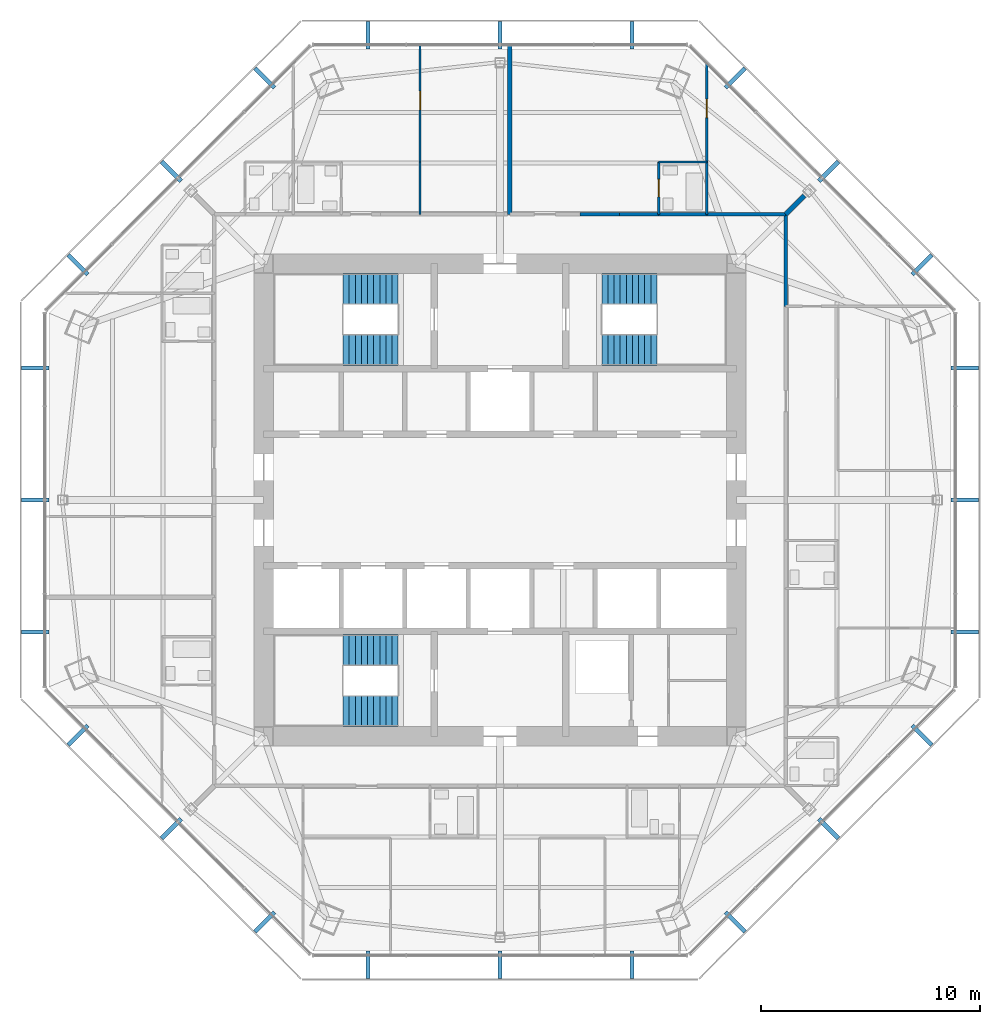
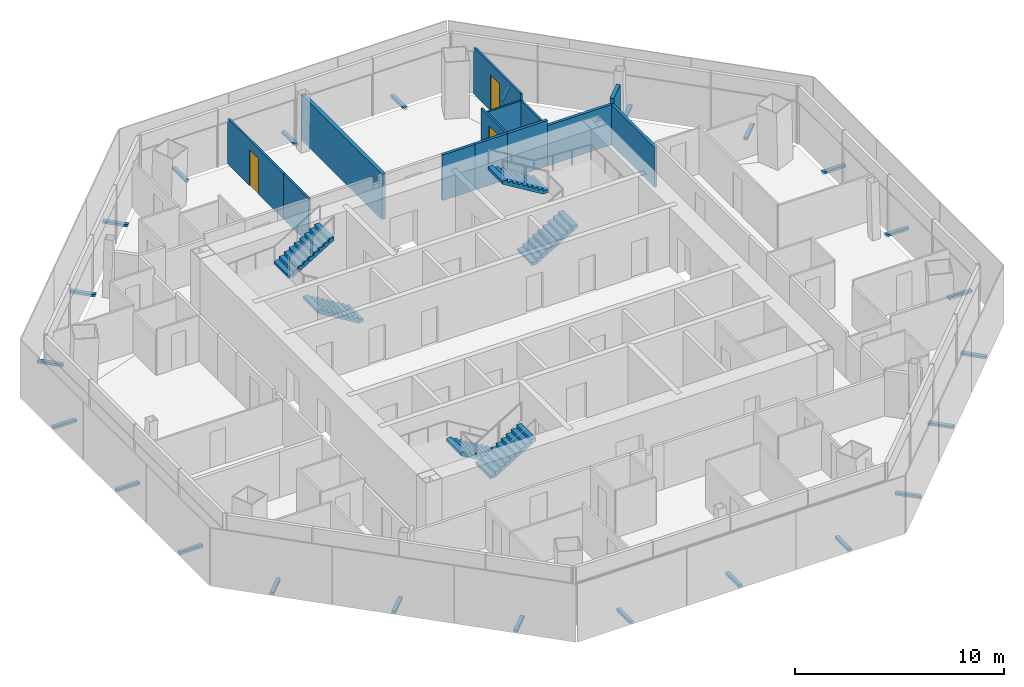
# One storey, part 12 of 14: 24 discrete accessories, 13 walls, 6 stair flights, 3 doors, 3 openings, 3 elements without a shape of their own.
"""IFC4 building model written with IfcOpenShell, lengths in metres."""

from ifc_helpers import new_model, si_unit, direction, frame, frame_2d, origin, origin_2d, place, context, subcontext, project, spatial, polyline, rectangle, outline, extrude, source, transform, mapped, material, layer, layer_set, type_object, type_shapes, element, fill, aggregate, save


model = new_model("IFC4")

# Units and contexts
model_context = context("Model", 3, precision=1e-05, world=origin(), true_north=direction((0.0, 1.0)))
body_context = subcontext(model_context, "Body", "Model", "MODEL_VIEW")
ifc_project = project(units=[si_unit("LENGTHUNIT", "METRE"), si_unit("AREAUNIT", "SQUARE_METRE"), si_unit("VOLUMEUNIT", "CUBIC_METRE"), si_unit("PLANEANGLEUNIT", "RADIAN"), si_unit("MASSUNIT", "GRAM", prefix="KILO")], contexts=[model_context])

# Site, building, storey
site_placement = place(None, origin())
site = spatial("IfcSite", under=ifc_project, at=site_placement, CompositionType="ELEMENT")
building_placement = place(site_placement, origin())
building = spatial("IfcBuilding", under=site, at=building_placement, Name="Mashrafa Tower", CompositionType="ELEMENT")
storey_placement = place(building_placement, frame((0.0, 0.0, 255.0)))
storey = spatial("IfcBuildingStorey", under=building, at=storey_placement, Name="L61", CompositionType="ELEMENT", Elevation=255.0)

# Walls
ifc_material_1 = material(Name="Gypsum board on steel studs", Category="steel")
ifc_layer_1 = layer(ifc_material_1, 0.199951171875)
ifc_layer_set_1 = layer_set([ifc_layer_1], Name="Acoustic partition 200 1 hr")
wall_type_1 = type_object("IfcWallType", Name="Acoustic partition 200 1 hr", PredefinedType="PARTITIONING", material=ifc_layer_set_1)
wall_1_placement = place(storey_placement, frame((13.90234375, 13.90234375, 0.0), z_axis=(0.0, 0.0, 1.0), x_axis=(-0.707106781187, -0.707106781187, 0.0)))
element("IfcWall", 1, at=wall_1_placement, inside=storey, type_object=wall_type_1, Name="Acoustic wall L61-055", PredefinedType="PARTITIONING", context=body_context, shape_type="SweptSolid", body=[
    extrude(rectangle(XDim=1.205322265625, YDim=0.199951171875, at=frame_2d((0.6025390625, 0.0))), origin(), (0.0, 0.0, 1.0), 2.656494140625),
])
wall_2_placement = place(storey_placement, frame((0.449951171875, 20.783203125, 0.0), z_axis=(0.0, 0.0, 1.0), x_axis=(0.0, -1.0, 0.0)))
element("IfcWall", 2, at=wall_2_placement, inside=storey, type_object=wall_type_1, Name="Acoustic wall L61-062", PredefinedType="PARTITIONING", context=body_context, shape_type="SweptSolid", body=[
    extrude(rectangle(XDim=7.733154296875, YDim=0.199951171875, at=frame_2d((3.86669921875, 0.0))), origin(), (0.0, 0.0, 1.0), 2.66162109375),
])
ifc_material_2 = material(Name="Gypsum board on steel studs", Category="steel")
ifc_layer_2 = layer(ifc_material_2, 0.14990234375)
ifc_layer_set_2 = layer_set([ifc_layer_2], Name="Corridor partition 150 1 hr")
wall_type_2 = type_object("IfcWallType", Name="Corridor partition 150 1 hr", PredefinedType="PARTITIONING", material=ifc_layer_set_2)
wall_3_placement = place(storey_placement, frame((13.050048828125, 8.84912109375, 0.0), z_axis=(0.0, 0.0, 1.0), x_axis=(0.0, 1.0, 0.0)))
element("IfcWall", 3, at=wall_3_placement, inside=storey, type_object=wall_type_2, Name="Corridor wall L61-005", PredefinedType="PARTITIONING", context=body_context, shape_type="SweptSolid", body=[
    extrude(rectangle(XDim=4.200927734375, YDim=0.14990234375, at=frame_2d((2.1005859375, 0.0))), origin(), (0.0, 0.0, 1.0), 2.349365234375),
])
wall_4_placement = place(storey_placement, frame((13.050048828125, 13.050048828125, 0.0), z_axis=(0.0, 0.0, 1.0), x_axis=(-1.0, 0.0, 0.0)))
element("IfcWall", 4, at=wall_4_placement, inside=storey, type_object=wall_type_2, Name="Corridor wall L61-008", PredefinedType="PARTITIONING", context=body_context, shape_type="SweptSolid", body=[
    extrude(rectangle(XDim=3.60107421875, YDim=0.14990234375, at=frame_2d((1.800537109375, 0.0))), origin(), (0.0, 0.0, 1.0), 2.349365234375),
])
wall_5_placement = place(storey_placement, frame((9.450927734375, 13.050048828125, 0.0), z_axis=(0.0, 0.0, 1.0), x_axis=(-1.0, 0.0, 0.0)))
element("IfcWall", 5, at=wall_5_placement, inside=storey, type_object=wall_type_2, Name="Corridor wall L61-009", PredefinedType="PARTITIONING", context=body_context, shape_type="SweptSolid", body=[
    extrude(rectangle(XDim=2.201904296875, YDim=0.14990234375, at=frame_2d((1.10107421875, 0.0))), origin(), (0.0, 0.0, 1.0), 2.66162109375),
])
for number, where, z_axis, x_axis, name in (
    (6, (5.450927734375, 13.050048828125, 0.0), (0.0, 0.0, 1.0), (-1.0, 0.0, 0.0), "Corridor wall L61-010"),
    (7, (7.2509765625, 13.050048828125, 0.0), (0.0, 0.0, 1.0), (-1.0, 0.0, 0.0), "Corridor wall L61-012"),
):
    element("IfcWall", number, at=place(storey_placement, frame(where, z_axis=z_axis, x_axis=x_axis)), inside=storey, type_object=wall_type_2, Name=name, PredefinedType="PARTITIONING", context=body_context, shape_type="SweptSolid", body=[
        extrude(rectangle(XDim=1.802001953125, YDim=0.14990234375, at=frame_2d((0.90087890625, 0.0))), origin(), (0.0, 0.0, 1.0), 2.66162109375),
    ])
ifc_material_3 = material(Name="Gypsum board on steel studs", Category="steel")
ifc_layer_3 = layer(ifc_material_3, 0.10009765625)
ifc_layer_set_3 = layer_set([ifc_layer_3], Name="Partition 100")
wall_type_3 = type_object("IfcWallType", Name="Partition 100", PredefinedType="PARTITIONING", material=ifc_layer_set_3)
wall_6_placement = place(storey_placement, frame((9.449951171875, 15.450927734375, 0.0), z_axis=(0.0, 0.0, 1.0), x_axis=(0.0, -1.0, 0.0)))
element("IfcWall", 8, at=wall_6_placement, inside=storey, type_object=wall_type_3, Name="Partition wall L61-058", PredefinedType="PARTITIONING", context=body_context, shape_type="SweptSolid", body=[
    extrude(rectangle(XDim=2.40087890625, YDim=0.10009765625, at=frame_2d((1.200439453125, 0.0))), origin(), (0.0, 0.0, 1.0), 2.349365234375),
])

# Wall, opening, door
wall_7_placement = place(storey_placement, frame((9.449951171875, 19.9453125, 0.0), z_axis=(0.0, 0.0, 1.0), x_axis=(0.0, -1.0, 0.0)))
wall_7 = element("IfcWall", 9, at=wall_7_placement, inside=storey, type_object=wall_type_3, Name="Partition wall L61-059", PredefinedType="PARTITIONING", context=body_context, shape_type="SweptSolid", body=[
    extrude(rectangle(XDim=4.496337890625, YDim=0.10009765625, at=frame_2d((2.248046875, 0.0))), origin(), (0.0, 0.0, 1.0), 2.740478515625),
])
opening_1_placement = place(wall_7_placement, frame((1.626220703125, 0.0, 0.0)))
opening_1 = element("IfcOpeningElement", 10, at=opening_1_placement, cuts=wall_7, Name="Opening 61.008", PredefinedType="OPENING", context=body_context, shape_type="SweptSolid", body=[
    extrude(rectangle(XDim=0.85009765625, YDim=2.10009765625, at=frame_2d((0.425048828125, 1.050048828125))), frame((0.0, 0.06005859375, 0.0), z_axis=(0.0, -1.0, 0.0), x_axis=(1.0, 0.0, 0.0)), (0.0, 0.0, 1.0), 0.1201171875),
])
ifc_material_4 = material(Name="Timber door", Category="wood")
door_type_1 = type_object("IfcDoorType", Name="Bedroom door 850 x 2100", OperationType="USERDEFINED", PredefinedType="DOOR", material=ifc_material_4)
door_1_placement = place(opening_1_placement, origin())
door_1 = element("IfcDoor", 11, at=door_1_placement, inside=storey, type_object=door_type_1, Name="Apartment 6102 Bedroom 1 door", OperationType="SINGLE_SWING_LEFT", OverallHeight=2.10009765625, OverallWidth=0.85009765625, PredefinedType="DOOR", context=body_context, shape_type="SweptSolid", body=[
    extrude(rectangle(XDim=0.85009765625, YDim=2.10009765625, at=frame_2d((0.425048828125, 1.050048828125))), frame((0.0, 0.02490234375, 0.0), z_axis=(0.0, -1.0, 0.0), x_axis=(1.0, 0.0, 0.0)), (0.0, 0.0, 1.0), 0.050048828125),
])
fill(opening_1, door_1)

# Wall
wall_8_placement = place(storey_placement, frame((9.449951171875, 15.449951171875, 0.0), z_axis=(0.0, 0.0, 1.0), x_axis=(-1.0, 0.0, 0.0)))
element("IfcWall", 12, at=wall_8_placement, inside=storey, type_object=wall_type_3, Name="Partition wall L61-060", PredefinedType="PARTITIONING", context=body_context, shape_type="SweptSolid", body=[
    extrude(rectangle(XDim=2.199951171875, YDim=0.10009765625, at=frame_2d((1.10009765625, 0.0))), origin(), (0.0, 0.0, 1.0), 2.349365234375),
])

# Wall, opening, door
wall_9_placement = place(storey_placement, frame((7.25, 15.449951171875, 0.0), z_axis=(0.0, 0.0, 1.0), x_axis=(0.0, -1.0, 0.0)))
wall_9 = element("IfcWall", 13, at=wall_9_placement, inside=storey, type_object=wall_type_3, Name="Partition wall L61-061", PredefinedType="PARTITIONING", context=body_context, shape_type="SweptSolid", body=[
    extrude(rectangle(XDim=2.39990234375, YDim=0.10009765625, at=frame_2d((1.199951171875, 0.0))), origin(), (0.0, 0.0, 1.0), 2.66162109375),
])
opening_2_placement = place(wall_9_placement, frame((0.800048828125, 0.0, 0.0)))
opening_2 = element("IfcOpeningElement", 14, at=opening_2_placement, cuts=wall_9, Name="Opening 61.009", PredefinedType="OPENING", context=body_context, shape_type="SweptSolid", body=[
    extrude(rectangle(XDim=0.800048828125, YDim=2.10009765625, at=frame_2d((0.39990234375, 1.050048828125))), frame((0.0, 0.06005859375, 0.0), z_axis=(0.0, -1.0, 0.0), x_axis=(1.0, 0.0, 0.0)), (0.0, 0.0, 1.0), 0.1201171875),
])
ifc_material_5 = material(Name="Timber door", Category="wood")
door_type_2 = type_object("IfcDoorType", Name="Bathroom door 800 x 2100", OperationType="USERDEFINED", PredefinedType="DOOR", material=ifc_material_5)
door_2_placement = place(opening_2_placement, origin())
door_2 = element("IfcDoor", 15, at=door_2_placement, inside=storey, type_object=door_type_2, Name="Apartment 6102 Bathroom door", OperationType="SINGLE_SWING_RIGHT", OverallHeight=2.10009765625, OverallWidth=0.800048828125, PredefinedType="DOOR", context=body_context, shape_type="SweptSolid", body=[
    extrude(rectangle(XDim=0.800048828125, YDim=2.10009765625, at=frame_2d((0.39990234375, 1.050048828125))), frame((0.0, 0.02490234375, 0.0), z_axis=(0.0, -1.0, 0.0), x_axis=(1.0, 0.0, 0.0)), (0.0, 0.0, 1.0), 0.050048828125),
])
fill(opening_2, door_2)

# Wall
wall_10_placement = place(storey_placement, frame((-3.64990234375, 13.050048828125, 0.0), z_axis=(0.0, 0.0, 1.0), x_axis=(0.0, 1.0, 0.0)))
element("IfcWall", 16, at=wall_10_placement, inside=storey, type_object=wall_type_3, Name="Partition wall L61-070", PredefinedType="PARTITIONING", context=body_context, shape_type="SweptSolid", body=[
    extrude(rectangle(XDim=2.39990234375, YDim=0.10009765625, at=frame_2d((1.199951171875, 0.0))), origin(), (0.0, 0.0, 1.0), 2.66162109375),
])

# Wall, opening, door
wall_11_placement = place(storey_placement, frame((-3.64990234375, 20.78515625, 0.0), z_axis=(0.0, 0.0, 1.0), x_axis=(0.0, -1.0, 0.0)))
wall_11 = element("IfcWall", 17, at=wall_11_placement, inside=storey, type_object=wall_type_3, Name="Partition wall L61-071", PredefinedType="PARTITIONING", context=body_context, shape_type="SweptSolid", body=[
    extrude(rectangle(XDim=5.336181640625, YDim=0.10009765625, at=frame_2d((2.66796875, 0.0))), origin(), (0.0, 0.0, 1.0), 2.66162109375),
])
opening_3_placement = place(wall_11_placement, frame((2.10498046875, 0.0, 0.0)))
opening_3 = element("IfcOpeningElement", 18, at=opening_3_placement, cuts=wall_11, Name="Opening 61.014", PredefinedType="OPENING", context=body_context, shape_type="SweptSolid", body=[
    extrude(rectangle(XDim=0.85009765625, YDim=2.10009765625, at=frame_2d((0.425048828125, 1.050048828125))), frame((0.0, 0.06005859375, 0.0), z_axis=(0.0, -1.0, 0.0), x_axis=(1.0, 0.0, 0.0)), (0.0, 0.0, 1.0), 0.1201171875),
])
door_3_placement = place(opening_3_placement, origin())
door_3 = element("IfcDoor", 19, at=door_3_placement, inside=storey, type_object=door_type_1, Name="Apartment 6103 Bedroom 2 door", OperationType="SINGLE_SWING_LEFT", OverallHeight=2.10009765625, OverallWidth=0.85009765625, PredefinedType="DOOR", context=body_context, shape_type="SweptSolid", body=[
    extrude(rectangle(XDim=0.85009765625, YDim=2.10009765625, at=frame_2d((0.425048828125, 1.050048828125))), frame((0.0, 0.02490234375, 0.0), z_axis=(0.0, -1.0, 0.0), x_axis=(1.0, 0.0, 0.0)), (0.0, 0.0, 1.0), 0.050048828125),
])
fill(opening_3, door_3)

# Stair, stair flights
ifc_material_6 = material(Name="Exit stair 1400")
stair_type = type_object("IfcStairType", Name="Exit stair 1400", PredefinedType="HALF_TURN_STAIR", material=ifc_material_6)
stair_1_placement = place(storey_placement, origin())
stair_1 = element("IfcStair", 20, at=stair_1_placement, inside=storey, type_object=stair_type, Name="Stair S1 L61", PredefinedType="HALF_TURN_STAIR")
ifc_material_7 = material(Name="Concrete C32/40", Category="concrete")
stair_flight_type = type_object("IfcStairFlightType", Name="Stair flight 1400", PredefinedType="STRAIGHT", material=ifc_material_7)
stair_flight_1_placement = place(storey_placement, frame((-4.64990234375, 6.85009765625, 0.0), z_axis=(0.0, 0.0, 1.0), x_axis=(-1.0, 0.0, 0.0)))
stair_flight_1 = element("IfcStairFlight", 21, at=stair_flight_1_placement, type_object=stair_flight_type, Name="S1 flight 1", NumberOfRisers=10, NumberOfTreads=9, PredefinedType="STRAIGHT", RiserHeight=0.17, TreadLength=0.28, context=body_context, shape_type="SweptSolid", body=[
    extrude(outline(polyline([(0.0, 0.0), (0.0, 0.169921875), (0.280029296875, 0.169921875), (0.280029296875, 0.340087890625), (0.56005859375, 0.340087890625), (0.56005859375, 0.510009765625), (0.840087890625, 0.510009765625), (0.840087890625, 0.679931640625), (1.1201171875, 0.679931640625), (1.1201171875, 0.85009765625), (1.39990234375, 0.85009765625), (1.39990234375, 1.02001953125), (1.679931640625, 1.02001953125), (1.679931640625, 1.18994140625), (1.9599609375, 1.18994140625), (1.9599609375, 1.360107421875), (2.239990234375, 1.360107421875), (2.239990234375, 1.530029296875), (2.52001953125, 1.530029296875), (2.52001953125, 1.699951171875), (2.52001953125, 1.354736328125), (0.288818359375, 0.0), (0.0, 0.0)])), frame((0.0, 0.699951171875, 0.0), z_axis=(0.0, -1.0, 0.0), x_axis=(1.0, 0.0, 0.0)), (0.0, 0.0, 1.0), 1.39990234375),
])
stair_flight_2_placement = place(storey_placement, frame((-7.169921875, 9.64990234375, 1.699951171875), z_axis=(0.0, 0.0, 1.0), x_axis=(1.0, 0.0, 0.0)))
stair_flight_2 = element("IfcStairFlight", 22, at=stair_flight_2_placement, type_object=stair_flight_type, Name="S1 flight 2", NumberOfRisers=10, NumberOfTreads=9, PredefinedType="STRAIGHT", RiserHeight=0.17, TreadLength=0.28, context=body_context, shape_type="SweptSolid", body=[
    extrude(outline(polyline([(0.0, 0.0), (0.0, 0.169921875), (0.280029296875, 0.169921875), (0.280029296875, 0.340087890625), (0.56005859375, 0.340087890625), (0.56005859375, 0.510009765625), (0.840087890625, 0.510009765625), (0.840087890625, 0.679931640625), (1.1201171875, 0.679931640625), (1.1201171875, 0.85009765625), (1.39990234375, 0.85009765625), (1.39990234375, 1.02001953125), (1.679931640625, 1.02001953125), (1.679931640625, 1.18994140625), (1.9599609375, 1.18994140625), (1.9599609375, 1.360107421875), (2.239990234375, 1.360107421875), (2.239990234375, 1.530029296875), (2.52001953125, 1.530029296875), (2.52001953125, 1.699951171875), (2.52001953125, 1.354736328125), (0.288818359375, 0.0), (0.0, 0.0)])), frame((0.0, 0.699951171875, 0.0), z_axis=(0.0, -1.0, 0.0), x_axis=(1.0, 0.0, 0.0)), (0.0, 0.0, 1.0), 1.39990234375),
])
aggregate(stair_1, [stair_flight_1, stair_flight_2])

stair_2_placement = place(storey_placement, origin())
stair_2 = element("IfcStair", 23, at=stair_2_placement, inside=storey, type_object=stair_type, Name="Stair S2 L61", PredefinedType="HALF_TURN_STAIR")
stair_flight_3_placement = place(storey_placement, frame((4.64990234375, 6.85009765625, 0.0), z_axis=(0.0, 0.0, 1.0), x_axis=(1.0, 0.0, 0.0)))
stair_flight_3 = element("IfcStairFlight", 24, at=stair_flight_3_placement, type_object=stair_flight_type, Name="S2 flight 1", NumberOfRisers=10, NumberOfTreads=9, PredefinedType="STRAIGHT", RiserHeight=0.17, TreadLength=0.28, context=body_context, shape_type="SweptSolid", body=[
    extrude(outline(polyline([(0.0, 0.0), (0.0, 0.169921875), (0.280029296875, 0.169921875), (0.280029296875, 0.340087890625), (0.56005859375, 0.340087890625), (0.56005859375, 0.510009765625), (0.840087890625, 0.510009765625), (0.840087890625, 0.679931640625), (1.1201171875, 0.679931640625), (1.1201171875, 0.85009765625), (1.39990234375, 0.85009765625), (1.39990234375, 1.02001953125), (1.679931640625, 1.02001953125), (1.679931640625, 1.18994140625), (1.9599609375, 1.18994140625), (1.9599609375, 1.360107421875), (2.239990234375, 1.360107421875), (2.239990234375, 1.530029296875), (2.52001953125, 1.530029296875), (2.52001953125, 1.699951171875), (2.52001953125, 1.354736328125), (0.288818359375, 0.0), (0.0, 0.0)])), frame((0.0, 0.699951171875, 0.0), z_axis=(0.0, -1.0, 0.0), x_axis=(1.0, 0.0, 0.0)), (0.0, 0.0, 1.0), 1.39990234375),
])
stair_flight_4_placement = place(storey_placement, frame((7.169921875, 9.64990234375, 1.699951171875), z_axis=(0.0, 0.0, 1.0), x_axis=(-1.0, 0.0, 0.0)))
stair_flight_4 = element("IfcStairFlight", 25, at=stair_flight_4_placement, type_object=stair_flight_type, Name="S2 flight 2", NumberOfRisers=10, NumberOfTreads=9, PredefinedType="STRAIGHT", RiserHeight=0.17, TreadLength=0.28, context=body_context, shape_type="SweptSolid", body=[
    extrude(outline(polyline([(0.0, 0.0), (0.0, 0.169921875), (0.280029296875, 0.169921875), (0.280029296875, 0.340087890625), (0.56005859375, 0.340087890625), (0.56005859375, 0.510009765625), (0.840087890625, 0.510009765625), (0.840087890625, 0.679931640625), (1.1201171875, 0.679931640625), (1.1201171875, 0.85009765625), (1.39990234375, 0.85009765625), (1.39990234375, 1.02001953125), (1.679931640625, 1.02001953125), (1.679931640625, 1.18994140625), (1.9599609375, 1.18994140625), (1.9599609375, 1.360107421875), (2.239990234375, 1.360107421875), (2.239990234375, 1.530029296875), (2.52001953125, 1.530029296875), (2.52001953125, 1.699951171875), (2.52001953125, 1.354736328125), (0.288818359375, 0.0), (0.0, 0.0)])), frame((0.0, 0.699951171875, 0.0), z_axis=(0.0, -1.0, 0.0), x_axis=(1.0, 0.0, 0.0)), (0.0, 0.0, 1.0), 1.39990234375),
])
aggregate(stair_2, [stair_flight_3, stair_flight_4])

stair_3_placement = place(storey_placement, origin())
stair_3 = element("IfcStair", 26, at=stair_3_placement, inside=storey, type_object=stair_type, Name="Stair S3 L61", PredefinedType="HALF_TURN_STAIR")
stair_flight_5_placement = place(storey_placement, frame((-4.64990234375, -6.85009765625, 0.0), z_axis=(0.0, 0.0, 1.0), x_axis=(-1.0, 0.0, 0.0)))
stair_flight_5 = element("IfcStairFlight", 27, at=stair_flight_5_placement, type_object=stair_flight_type, Name="S3 flight 1", NumberOfRisers=10, NumberOfTreads=9, PredefinedType="STRAIGHT", RiserHeight=0.17, TreadLength=0.28, context=body_context, shape_type="SweptSolid", body=[
    extrude(outline(polyline([(0.0, 0.0), (0.0, 0.169921875), (0.280029296875, 0.169921875), (0.280029296875, 0.340087890625), (0.56005859375, 0.340087890625), (0.56005859375, 0.510009765625), (0.840087890625, 0.510009765625), (0.840087890625, 0.679931640625), (1.1201171875, 0.679931640625), (1.1201171875, 0.85009765625), (1.39990234375, 0.85009765625), (1.39990234375, 1.02001953125), (1.679931640625, 1.02001953125), (1.679931640625, 1.18994140625), (1.9599609375, 1.18994140625), (1.9599609375, 1.360107421875), (2.239990234375, 1.360107421875), (2.239990234375, 1.530029296875), (2.52001953125, 1.530029296875), (2.52001953125, 1.699951171875), (2.52001953125, 1.354736328125), (0.288818359375, 0.0), (0.0, 0.0)])), frame((0.0, 0.699951171875, 0.0), z_axis=(0.0, -1.0, 0.0), x_axis=(1.0, 0.0, 0.0)), (0.0, 0.0, 1.0), 1.39990234375),
])
stair_flight_6_placement = place(storey_placement, frame((-7.169921875, -9.64990234375, 1.699951171875), z_axis=(0.0, 0.0, 1.0), x_axis=(1.0, 0.0, 0.0)))
stair_flight_6 = element("IfcStairFlight", 28, at=stair_flight_6_placement, type_object=stair_flight_type, Name="S3 flight 2", NumberOfRisers=10, NumberOfTreads=9, PredefinedType="STRAIGHT", RiserHeight=0.17, TreadLength=0.28, context=body_context, shape_type="SweptSolid", body=[
    extrude(outline(polyline([(0.0, 0.0), (0.0, 0.169921875), (0.280029296875, 0.169921875), (0.280029296875, 0.340087890625), (0.56005859375, 0.340087890625), (0.56005859375, 0.510009765625), (0.840087890625, 0.510009765625), (0.840087890625, 0.679931640625), (1.1201171875, 0.679931640625), (1.1201171875, 0.85009765625), (1.39990234375, 0.85009765625), (1.39990234375, 1.02001953125), (1.679931640625, 1.02001953125), (1.679931640625, 1.18994140625), (1.9599609375, 1.18994140625), (1.9599609375, 1.360107421875), (2.239990234375, 1.360107421875), (2.239990234375, 1.530029296875), (2.52001953125, 1.530029296875), (2.52001953125, 1.699951171875), (2.52001953125, 1.354736328125), (0.288818359375, 0.0), (0.0, 0.0)])), frame((0.0, 0.699951171875, 0.0), z_axis=(0.0, -1.0, 0.0), x_axis=(1.0, 0.0, 0.0)), (0.0, 0.0, 1.0), 1.39990234375),
])
aggregate(stair_3, [stair_flight_5, stair_flight_6])

# Discrete accessories
ifc_material_8 = material(Name="Stainless steel screen bracket", Category="steel")
discrete_accessory_type = type_object("IfcDiscreteAccessoryType", Name="Screen support bracket 200 x 150", PredefinedType="BRACKET", material=ifc_material_8)
shared_shape = source(origin(), body_context, "Body", "SweptSolid", [
    extrude(rectangle(XDim=0.199951171875, YDim=1.27001953125, at=origin_2d()), origin(), (0.0, 0.0, 1.0), 0.14990234375),
])
type_shapes(discrete_accessory_type, [shared_shape])
for number, where, z_axis, x_axis, name in (
    (29, (21.236083984375, -6.032958984375, -0.14990234375), (0.0, 0.0, 1.0), (0.0, 1.0, 0.0), "Screen support bracket L61 east 1"),
    (30, (21.236083984375, 0.0, -0.14990234375), (0.0, 0.0, 1.0), (0.0, 1.0, 0.0), "Screen support bracket L61 east 2"),
    (31, (21.236083984375, 6.032958984375, -0.14990234375), (0.0, 0.0, 1.0), (0.0, 1.0, 0.0), "Screen support bracket L61 east 3"),
    (32, (19.281982421875, 10.750244140625, -0.14990234375), (0.0, 0.0, 1.0), (-0.707106781187, 0.707106781187, 0.0), "Screen support bracket L61 north-east 1"),
    (33, (15.01611328125, 15.01611328125, -0.14990234375), (0.0, 0.0, 1.0), (-0.707106781187, 0.707106781187, 0.0), "Screen support bracket L61 north-east 2"),
    (34, (10.750244140625, 19.281982421875, -0.14990234375), (0.0, 0.0, 1.0), (-0.707106781187, 0.707106781187, 0.0), "Screen support bracket L61 north-east 3"),
    (35, (6.032958984375, 21.236083984375, -0.14990234375), (0.0, 0.0, 1.0), (-1.0, 0.0, 0.0), "Screen support bracket L61 north 1"),
    (36, (0.0, 21.236083984375, -0.14990234375), (0.0, 0.0, 1.0), (-1.0, 0.0, 0.0), "Screen support bracket L61 north 2"),
    (37, (-6.032958984375, 21.236083984375, -0.14990234375), (0.0, 0.0, 1.0), (-1.0, 0.0, 0.0), "Screen support bracket L61 north 3"),
    (38, (-10.750244140625, 19.281982421875, -0.14990234375), (0.0, 0.0, 1.0), (-0.707106781187, -0.707106781187, 0.0), "Screen support bracket L61 north-west 1"),
    (39, (-15.01611328125, 15.01611328125, -0.14990234375), (0.0, 0.0, 1.0), (-0.707106781187, -0.707106781187, 0.0), "Screen support bracket L61 north-west 2"),
    (40, (-19.281982421875, 10.750244140625, -0.14990234375), (0.0, 0.0, 1.0), (-0.707106781187, -0.707106781187, 0.0), "Screen support bracket L61 north-west 3"),
    (41, (-21.236083984375, 6.032958984375, -0.14990234375), (0.0, 0.0, 1.0), (0.0, -1.0, 0.0), "Screen support bracket L61 west 1"),
    (42, (-21.236083984375, 0.0, -0.14990234375), (0.0, 0.0, 1.0), (0.0, -1.0, 0.0), "Screen support bracket L61 west 2"),
    (43, (-21.236083984375, -6.032958984375, -0.14990234375), (0.0, 0.0, 1.0), (0.0, -1.0, 0.0), "Screen support bracket L61 west 3"),
    (44, (-19.281982421875, -10.750244140625, -0.14990234375), (0.0, 0.0, 1.0), (0.707106781187, -0.707106781187, 0.0), "Screen support bracket L61 south-west 1"),
    (45, (-15.01611328125, -15.01611328125, -0.14990234375), (0.0, 0.0, 1.0), (0.707106781187, -0.707106781187, 0.0), "Screen support bracket L61 south-west 2"),
    (46, (-10.750244140625, -19.281982421875, -0.14990234375), (0.0, 0.0, 1.0), (0.707106781187, -0.707106781187, 0.0), "Screen support bracket L61 south-west 3"),
    (47, (-6.032958984375, -21.236083984375, -0.14990234375), (0.0, 0.0, 1.0), (1.0, 0.0, 0.0), "Screen support bracket L61 south 1"),
    (48, (0.0, -21.236083984375, -0.14990234375), (0.0, 0.0, 1.0), (1.0, 0.0, 0.0), "Screen support bracket L61 south 2"),
    (49, (6.032958984375, -21.236083984375, -0.14990234375), (0.0, 0.0, 1.0), (1.0, 0.0, 0.0), "Screen support bracket L61 south 3"),
    (50, (10.750244140625, -19.281982421875, -0.14990234375), (0.0, 0.0, 1.0), (0.707106781187, 0.707106781187, 0.0), "Screen support bracket L61 south-east 1"),
    (51, (15.01611328125, -15.01611328125, -0.14990234375), (0.0, 0.0, 1.0), (0.707106781187, 0.707106781187, 0.0), "Screen support bracket L61 south-east 2"),
    (52, (19.281982421875, -10.750244140625, -0.14990234375), (0.0, 0.0, 1.0), (0.707106781187, 0.707106781187, 0.0), "Screen support bracket L61 south-east 3"),
):
    element("IfcDiscreteAccessory", number, at=place(storey_placement, frame(where, z_axis=z_axis, x_axis=x_axis)), inside=storey, type_object=discrete_accessory_type, Name=name, PredefinedType="BRACKET", context=body_context, shape_type="MappedRepresentation", body=[
        mapped(shared_shape, transform((0.0, 0.0, 0.0))),
    ])

save(model, "model.ifc")
